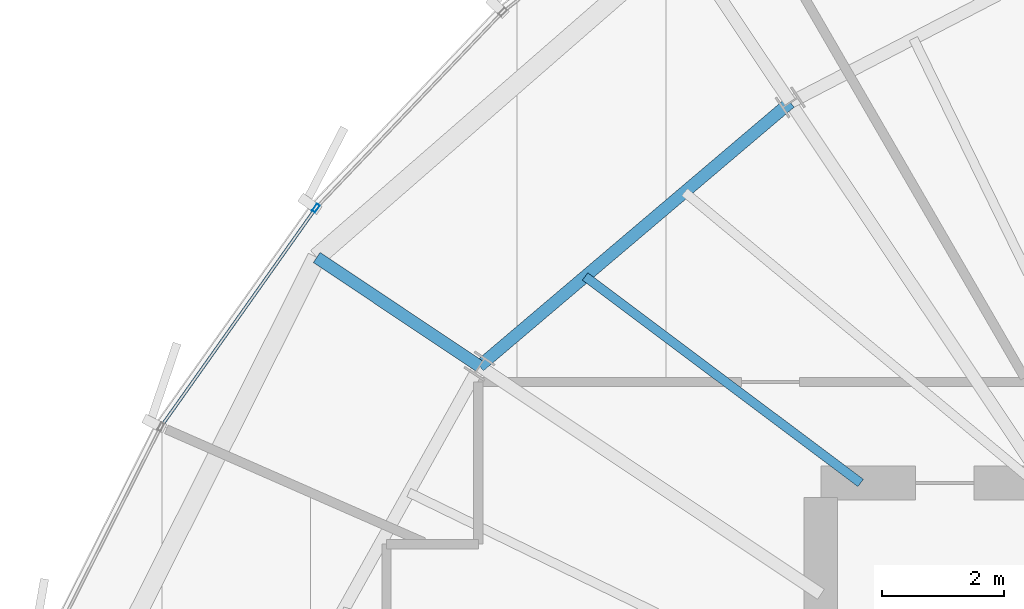
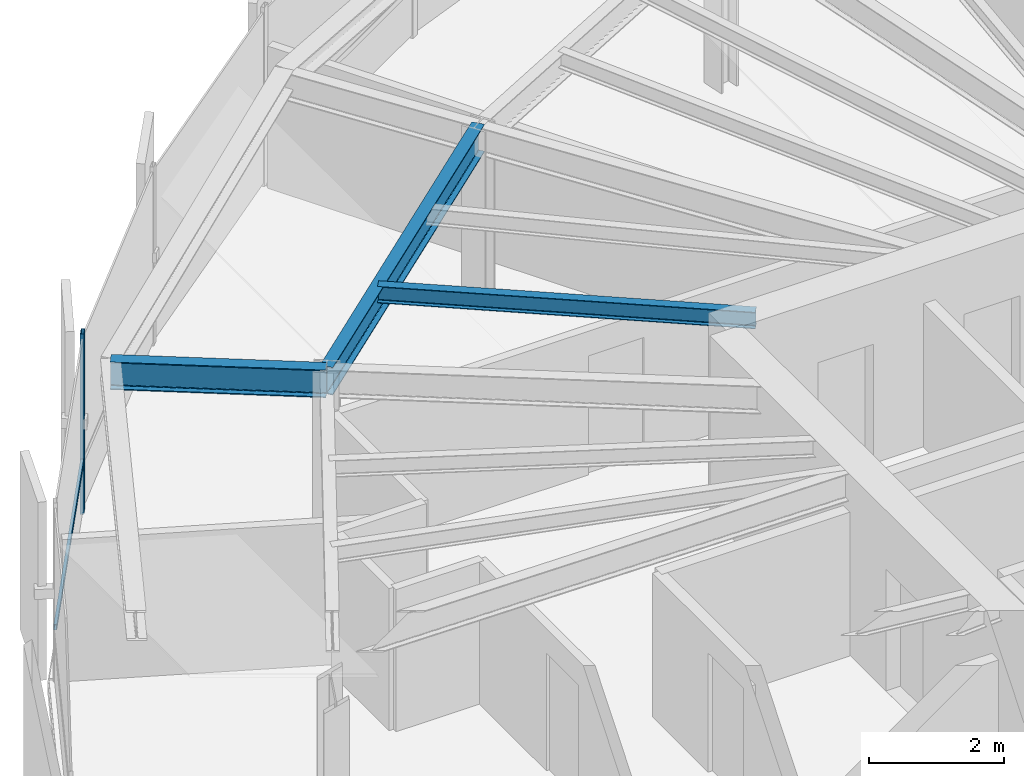
# One storey, part 19 of 35: 3 beams, 2 members, 1 element without a shape of its own.
"""IFC4 building model written with IfcOpenShell, lengths in metres."""

from ifc_helpers import new_model, si_unit, direction, frame, origin, origin_2d, place, context, subcontext, project, spatial, hollow_rectangle, i_section, extrude, source, transform, mapped, material, layer, layer_set, material_profile, profile_set, type_object, element, aggregate, save


model = new_model("IFC4")

# Units and contexts
model_context = context("Model", 3, precision=1e-05, world=origin(), true_north=direction((0.0, 1.0)))
body_context = subcontext(model_context, "Body", "Model", "MODEL_VIEW")
ifc_project = project(units=[si_unit("LENGTHUNIT", "METRE"), si_unit("AREAUNIT", "SQUARE_METRE"), si_unit("VOLUMEUNIT", "CUBIC_METRE"), si_unit("PLANEANGLEUNIT", "RADIAN"), si_unit("MASSUNIT", "GRAM", prefix="KILO"), si_unit("THERMODYNAMICTEMPERATUREUNIT", "KELVIN")], contexts=[model_context])

# Site, building, storey
site_placement = place(None, origin())
site = spatial("IfcSite", under=ifc_project, at=site_placement, CompositionType="ELEMENT")
building_placement = place(site_placement, origin())
building = spatial("IfcBuilding", under=site, at=building_placement, Name="Kethvar Cultural Tower", CompositionType="ELEMENT")
storey_placement = place(building_placement, frame((0.0, 0.0, 204.39990234375)))
storey = spatial("IfcBuildingStorey", under=building, at=storey_placement, Name="L53", CompositionType="ELEMENT", Elevation=204.39990234375)

# Beams
ifc_material_1 = material(Name="Steel S355J2", Category="steel")
ifc_material_profile_1 = material_profile(ifc_material_1, i_section(OverallWidth=0.199951171875, OverallDepth=0.5, WebThickness=0.01025390625, FlangeThickness=0.01611328125, FilletRadius=0.02099609375, at=origin_2d()), Name="Steel S355J2 — IPE500")
ifc_profile_set_1 = profile_set([ifc_material_profile_1], Name="Steel S355J2 — IPE500")
beam_type_1 = type_object("IfcBeamType", Name="BM-IPE500", PredefinedType="BEAM", material=ifc_profile_set_1)
shared_shape_1 = source(origin(), body_context, "Body", "SweptSolid", [
    extrude(i_section(OverallWidth=0.199951171875, OverallDepth=0.5, WebThickness=0.01025390625, FlangeThickness=0.01611328125, FilletRadius=0.02099609375, at=origin_2d()), origin(), (0.0, 0.0, 1.0), 3.199951171875),
])
beam_1_placement = place(storey_placement, frame((32.418212890625, 37.409423828125, 3.008056640625), z_axis=(-0.831462943996, 0.555580212716, 0.0), x_axis=(-0.555580212716, -0.831462943996, 0.0)))
element("IfcBeam", 1, at=beam_1_placement, inside=storey, type_object=beam_type_1, Name="L53 Perimeter Cantilever Beam RC-07", PredefinedType="BEAM", context=body_context, shape_type="MappedRepresentation", body=[
    mapped(shared_shape_1, transform((0.0, 0.0, 0.0), scale=1.0)),
])
shared_shape_2 = source(origin(), body_context, "Body", "SweptSolid", [
    extrude(i_section(OverallWidth=0.199951171875, OverallDepth=0.5, WebThickness=0.01025390625, FlangeThickness=0.01611328125, FilletRadius=0.02099609375, at=origin_2d()), origin(), (0.0, 0.0, 1.0), 6.6630859375),
])
beam_2_placement = place(storey_placement, frame((37.498779296875, 41.720458984375, 3.008056640625), z_axis=(-0.762490511547, -0.646999397064, 0.0), x_axis=(0.646999397064, -0.762490511547, 0.0)))
element("IfcBeam", 2, at=beam_2_placement, inside=storey, type_object=beam_type_1, Name="L53 Column Ring Tie Beam CR-06", PredefinedType="BEAM", context=body_context, shape_type="MappedRepresentation", body=[
    mapped(shared_shape_2, transform((0.0, 0.0, 0.0), scale=1.0)),
])
ifc_material_profile_2 = material_profile(ifc_material_1, i_section(OverallWidth=0.14990234375, OverallDepth=0.300048828125, WebThickness=0.007080078125, FlangeThickness=0.0107421875, FilletRadius=0.014892578125, at=origin_2d()), Name="Steel S355J2 — IPE300")
ifc_profile_set_2 = profile_set([ifc_material_profile_2], Name="Steel S355J2 — IPE300")
beam_type_2 = type_object("IfcBeamType", Name="BM-J300", PredefinedType="JOIST", material=ifc_profile_set_2)
shared_shape_3 = source(origin(), body_context, "Body", "SweptSolid", [
    extrude(i_section(OverallWidth=0.14990234375, OverallDepth=0.300048828125, WebThickness=0.007080078125, FlangeThickness=0.0107421875, FilletRadius=0.014892578125, at=origin_2d()), origin(), (0.0, 0.0, 1.0), 5.628662109375),
])
beam_3_placement = place(storey_placement, frame((38.64990234375, 35.5, 3.108154296875), z_axis=(-0.800260171956, 0.599652947279, 0.0), x_axis=(-0.599652947279, -0.800260171956, 0.0)))
element("IfcBeam", 3, at=beam_3_placement, inside=storey, type_object=beam_type_2, Name="L53 Composite Floor Joist J-06B", PredefinedType="JOIST", context=body_context, shape_type="MappedRepresentation", body=[
    mapped(shared_shape_3, transform((0.0, 0.0, 0.0), scale=1.0)),
])

# Curtain wall, members
ifc_material_2 = material(Name="Aluminium 6063-T6", Category="aluminium")
ifc_layer = layer(ifc_material_2, 0.179931640625, Name="Aluminium 6063-T6", Category="aluminium")
ifc_layer_set = layer_set([ifc_layer], Name="Aluminium 6063-T6 (180 mm)")
curtain_wall_type = type_object("IfcCurtainWallType", Name="CW-SYS-04-Z34", PredefinedType="NOTDEFINED", material=ifc_layer_set)
curtain_wall_placement = place(storey_placement, origin())
curtain_wall = element("IfcCurtainWall", 4, at=curtain_wall_placement, inside=storey, type_object=curtain_wall_type, Name="L53 Curtain Wall Run 02", PredefinedType="NOTDEFINED")
ifc_material_profile_3 = material_profile(ifc_material_2, hollow_rectangle(XDim=0.06005859375, YDim=0.139892578125, WallThickness=0.0048828125, at=origin_2d()), Name="Aluminium 6063-T6 — RHS140x60x5")
ifc_profile_set_3 = profile_set([ifc_material_profile_3], Name="Aluminium 6063-T6 — RHS140x60x5")
member_type_1 = type_object("IfcMemberType", Name="CW-SYS-04-Z34-MUL", PredefinedType="MULLION", material=ifc_profile_set_3)
shared_shape_4 = source(origin(), body_context, "Body", "SweptSolid", [
    extrude(hollow_rectangle(XDim=0.06005859375, YDim=0.139892578125, WallThickness=0.0048828125, at=origin_2d()), origin(), (0.0, 0.0, 1.0), 3.260009765625),
])
member_1_placement = place(storey_placement, frame((29.74462890625, 39.993408203125, 0.0), z_axis=(0.0, 0.0, 1.0), x_axis=(0.816016545963, -0.578028543166, 0.0)))
member_1 = element("IfcMember", 5, at=member_1_placement, type_object=member_type_1, Name="CW-L53-R02 Mullion 5", PredefinedType="MULLION", context=body_context, shape_type="MappedRepresentation", body=[
    mapped(shared_shape_4, transform((0.0, 0.0, 0.0), scale=1.0)),
])
ifc_material_profile_4 = material_profile(ifc_material_2, hollow_rectangle(XDim=0.050048828125, YDim=0.10009765625, WallThickness=0.00390625, at=origin_2d()), Name="Aluminium 6063-T6 — RHS100x50x4")
ifc_profile_set_4 = profile_set([ifc_material_profile_4], Name="Aluminium 6063-T6 — RHS100x50x4")
member_type_2 = type_object("IfcMemberType", Name="CW-SYS-04-Z34-TRN", PredefinedType="USERDEFINED", material=ifc_profile_set_4)
shared_shape_5 = source(origin(), body_context, "Body", "SweptSolid", [
    extrude(hollow_rectangle(XDim=0.050048828125, YDim=0.10009765625, WallThickness=0.00390625, at=origin_2d()), origin(), (0.0, 0.0, 1.0), 4.313232421875),
])
member_2_placement = place(storey_placement, frame((29.7197265625, 39.958251953125, 0.9501953125), z_axis=(-0.578042468861, -0.816006681463, 0.0), x_axis=(0.816006681463, -0.578042468861, 0.0)))
member_2 = element("IfcMember", 6, at=member_2_placement, type_object=member_type_2, Name="CW-L53-R02 Transom 5", ObjectType="TRANSOM", PredefinedType="USERDEFINED", context=body_context, shape_type="MappedRepresentation", body=[
    mapped(shared_shape_5, transform((0.0, 0.0, 0.0), scale=1.0)),
])
aggregate(curtain_wall, [member_1, member_2])

save(model, "model.ifc")
